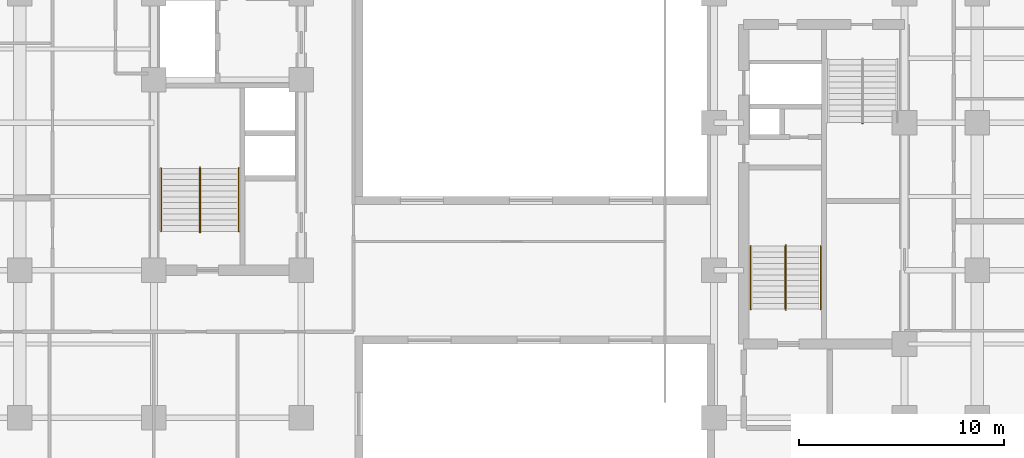
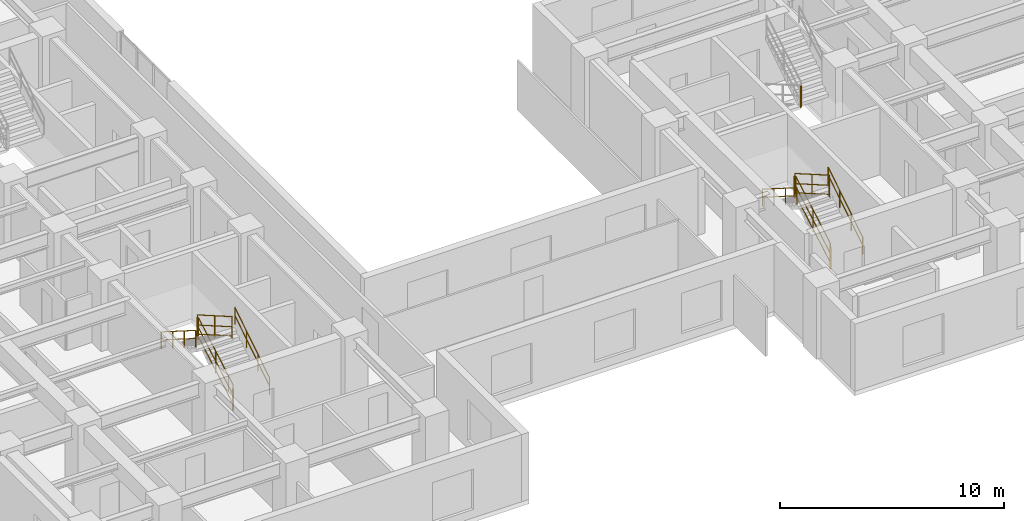
# One storey, part 9 of 11: 13 railings.
"""IFC4 building model written with IfcOpenShell, lengths in metres."""

from ifc_helpers import new_model, entity, si_unit, converted_unit, direction, frame, origin_with_axes, origin_2d_with_axis, place, context, subcontext, project, spatial, rectangle, circle, extrude, material, type_object, element, save


model = new_model("IFC4")

# Units and contexts
model_context = context("Model", 3, precision=1e-05, world=origin_with_axes(), true_north=direction((0.0, 1.0)))
body_context = subcontext(model_context, "Body", "Model", "MODEL_VIEW")
ifc_project = project(units=[si_unit("LENGTHUNIT", "METRE"), si_unit("AREAUNIT", "SQUARE_METRE"), si_unit("VOLUMEUNIT", "CUBIC_METRE"), converted_unit("PLANEANGLEUNIT", "DEGREE", entity("IfcPlaneAngleMeasure", 0.017453292519943295), si_unit("PLANEANGLEUNIT", "RADIAN"), dimensions=[0, 0, 0, 0, 0, 0, 0]), si_unit("MASSUNIT", "GRAM", prefix="KILO"), si_unit("THERMODYNAMICTEMPERATUREUNIT", "KELVIN")], contexts=[model_context])

# Site, building, storey
site_placement = place(None, origin_with_axes())
site = spatial("IfcSite", under=ifc_project, at=site_placement, CompositionType="ELEMENT")
building_placement = place(site_placement, origin_with_axes())
building = spatial("IfcBuilding", under=site, at=building_placement, Name="Varnlund Millrace Tower", CompositionType="ELEMENT")
storey_placement = place(building_placement, frame((0.0, 0.0, 104.7), z_axis=(0.0, 0.0, 1.0), x_axis=(1.0, 0.0, 0.0)))
storey = spatial("IfcBuildingStorey", under=building, at=storey_placement, Name="L25", CompositionType="ELEMENT", Elevation=104.7)

# Railings
ifc_material_1 = material(Name="Painted steel stair well balustrade guard", Category="steel")
railing_type_1 = type_object("IfcRailingType", Name="Type-StairGuard-1150", PredefinedType="GUARDRAIL", material=ifc_material_1)
railing_1_placement = place(storey_placement, frame((0.0, 0.0, -104.7), z_axis=(0.0, 0.0, 1.0), x_axis=(1.0, 0.0, 0.0)))
element("IfcRailing", 1, at=railing_1_placement, inside=storey, type_object=railing_type_1, Name="Type-StairGuard-1150", PredefinedType="GUARDRAIL", context=body_context, shape_type="SweptSolid", body=[
    extrude(circle(Radius=0.024, at=origin_2d_with_axis()), frame((13.675, 12.7, 106.027273), z_axis=(0.0, 0.866696, 0.498836), x_axis=(-1.0, 0.0, 0.0)), (0.0, 0.0, 1.0), 3.553725),
    extrude(circle(Radius=0.024, at=origin_2d_with_axis()), frame((13.675, 12.7, 104.977273), z_axis=(0.0, 0.866696, 0.498836), x_axis=(-1.0, 0.0, 0.0)), (0.0, 0.0, 1.0), 3.553725),
    extrude(circle(Radius=0.024, at=origin_2d_with_axis()), frame((13.675, 12.7, 105.475273), z_axis=(0.0, 0.866696, 0.498836), x_axis=(-1.0, 0.0, 0.0)), (0.0, 0.0, 1.0), 3.553725),
    extrude(rectangle(XDim=0.04, YDim=0.04, at=origin_2d_with_axis()), frame((13.675, 12.7, 104.837273), z_axis=(0.0, 0.0, 1.0), x_axis=(1.0, 0.0, 0.0)), (0.0, 0.0, 1.0), 1.19),
    extrude(rectangle(XDim=0.04, YDim=0.04, at=origin_2d_with_axis()), frame((13.675, 14.24, 105.723636), z_axis=(0.0, 0.0, 1.0), x_axis=(1.0, 0.0, 0.0)), (0.0, 0.0, 1.0), 1.19),
    extrude(rectangle(XDim=0.04, YDim=0.04, at=origin_2d_with_axis()), frame((13.675, 15.78, 106.61), z_axis=(0.0, 0.0, 1.0), x_axis=(1.0, 0.0, 0.0)), (0.0, 0.0, 1.0), 1.19),
])
railing_2_placement = place(storey_placement, frame((0.0, 0.0, -104.7), z_axis=(0.0, 0.0, 1.0), x_axis=(1.0, 0.0, 0.0)))
element("IfcRailing", 2, at=railing_2_placement, inside=storey, type_object=railing_type_1, Name="Type-StairGuard-1150", PredefinedType="GUARDRAIL", context=body_context, shape_type="SweptSolid", body=[
    extrude(circle(Radius=0.024, at=origin_2d_with_axis()), frame((13.625, 15.83, 107.8), z_axis=(1.0, 0.0, 0.0), x_axis=(0.0, 1.0, 0.0)), (0.0, 0.0, 1.0), 0.05),
    extrude(circle(Radius=0.024, at=origin_2d_with_axis()), frame((13.625, 15.83, 106.75), z_axis=(1.0, 0.0, 0.0), x_axis=(0.0, 1.0, 0.0)), (0.0, 0.0, 1.0), 0.05),
    extrude(circle(Radius=0.024, at=origin_2d_with_axis()), frame((13.625, 15.83, 107.248), z_axis=(1.0, 0.0, 0.0), x_axis=(0.0, 1.0, 0.0)), (0.0, 0.0, 1.0), 0.05),
    extrude(rectangle(XDim=0.04, YDim=0.04, at=origin_2d_with_axis()), frame((13.625, 15.83, 106.61), z_axis=(0.0, 0.0, 1.0), x_axis=(1.0, 0.0, 0.0)), (0.0, 0.0, 1.0), 1.19),
    extrude(rectangle(XDim=0.04, YDim=0.04, at=origin_2d_with_axis()), frame((13.675, 15.83, 106.61), z_axis=(0.0, 0.0, 1.0), x_axis=(1.0, 0.0, 0.0)), (0.0, 0.0, 1.0), 1.19),
])
railing_3_placement = place(storey_placement, frame((0.0, 0.0, -104.7), z_axis=(0.0, 0.0, 1.0), x_axis=(1.0, 0.0, 0.0)))
element("IfcRailing", 3, at=railing_3_placement, inside=storey, type_object=railing_type_1, Name="Type-StairGuard-1150", PredefinedType="GUARDRAIL", context=body_context, shape_type="SweptSolid", body=[
    extrude(circle(Radius=0.024, at=origin_2d_with_axis()), frame((13.625, 15.78, 107.977273), z_axis=(0.0, -0.866696, 0.498836), x_axis=(1.0, 0.0, 0.0)), (0.0, 0.0, 1.0), 3.553725),
    extrude(circle(Radius=0.024, at=origin_2d_with_axis()), frame((13.625, 15.78, 106.927273), z_axis=(0.0, -0.866696, 0.498836), x_axis=(1.0, 0.0, 0.0)), (0.0, 0.0, 1.0), 3.553725),
    extrude(circle(Radius=0.024, at=origin_2d_with_axis()), frame((13.625, 15.78, 107.425273), z_axis=(0.0, -0.866696, 0.498836), x_axis=(1.0, 0.0, 0.0)), (0.0, 0.0, 1.0), 3.553725),
    extrude(rectangle(XDim=0.04, YDim=0.04, at=origin_2d_with_axis()), frame((13.625, 15.78, 106.787273), z_axis=(0.0, 0.0, 1.0), x_axis=(1.0, 0.0, 0.0)), (0.0, 0.0, 1.0), 1.19),
    extrude(rectangle(XDim=0.04, YDim=0.04, at=origin_2d_with_axis()), frame((13.625, 14.24, 107.673636), z_axis=(0.0, 0.0, 1.0), x_axis=(1.0, 0.0, 0.0)), (0.0, 0.0, 1.0), 1.19),
    extrude(rectangle(XDim=0.04, YDim=0.04, at=origin_2d_with_axis()), frame((13.625, 12.7, 108.56), z_axis=(0.0, 0.0, 1.0), x_axis=(1.0, 0.0, 0.0)), (0.0, 0.0, 1.0), 1.19),
])
railing_4_placement = place(storey_placement, frame((0.0, 0.0, -104.7), z_axis=(0.0, 0.0, 1.0), x_axis=(1.0, 0.0, 0.0)))
element("IfcRailing", 4, at=railing_4_placement, inside=storey, type_object=railing_type_1, Name="Type-StairGuard-1150", PredefinedType="GUARDRAIL", context=body_context, shape_type="SweptSolid", body=[
    extrude(circle(Radius=0.024, at=origin_2d_with_axis()), frame((13.625, 12.65, 105.85), z_axis=(1.0, 0.0, 0.0), x_axis=(0.0, 1.0, 0.0)), (0.0, 0.0, 1.0), 0.05),
    extrude(circle(Radius=0.024, at=origin_2d_with_axis()), frame((13.625, 12.65, 104.8), z_axis=(1.0, 0.0, 0.0), x_axis=(0.0, 1.0, 0.0)), (0.0, 0.0, 1.0), 0.05),
    extrude(circle(Radius=0.024, at=origin_2d_with_axis()), frame((13.625, 12.65, 105.298), z_axis=(1.0, 0.0, 0.0), x_axis=(0.0, 1.0, 0.0)), (0.0, 0.0, 1.0), 0.05),
    extrude(rectangle(XDim=0.04, YDim=0.04, at=origin_2d_with_axis()), frame((13.625, 12.65, 104.66), z_axis=(0.0, 0.0, 1.0), x_axis=(1.0, 0.0, 0.0)), (0.0, 0.0, 1.0), 1.19),
    extrude(rectangle(XDim=0.04, YDim=0.04, at=origin_2d_with_axis()), frame((13.675, 12.65, 104.66), z_axis=(0.0, 0.0, 1.0), x_axis=(1.0, 0.0, 0.0)), (0.0, 0.0, 1.0), 1.19),
])
railing_5_placement = place(storey_placement, frame((0.0, 0.0, -104.7), z_axis=(0.0, 0.0, 1.0), x_axis=(1.0, 0.0, 0.0)))
element("IfcRailing", 5, at=railing_5_placement, inside=storey, type_object=railing_type_1, Name="Type-StairGuard-1150", PredefinedType="GUARDRAIL", context=body_context, shape_type="SweptSolid", body=[
    extrude(circle(Radius=0.024, at=origin_2d_with_axis()), frame((42.275, 8.9, 106.027273), z_axis=(0.0, 0.866696, 0.498836), x_axis=(-1.0, 0.0, 0.0)), (0.0, 0.0, 1.0), 3.553725),
    extrude(circle(Radius=0.024, at=origin_2d_with_axis()), frame((42.275, 8.9, 104.977273), z_axis=(0.0, 0.866696, 0.498836), x_axis=(-1.0, 0.0, 0.0)), (0.0, 0.0, 1.0), 3.553725),
    extrude(circle(Radius=0.024, at=origin_2d_with_axis()), frame((42.275, 8.9, 105.475273), z_axis=(0.0, 0.866696, 0.498836), x_axis=(-1.0, 0.0, 0.0)), (0.0, 0.0, 1.0), 3.553725),
    extrude(rectangle(XDim=0.04, YDim=0.04, at=origin_2d_with_axis()), frame((42.275, 8.9, 104.837273), z_axis=(0.0, 0.0, 1.0), x_axis=(1.0, 0.0, 0.0)), (0.0, 0.0, 1.0), 1.19),
    extrude(rectangle(XDim=0.04, YDim=0.04, at=origin_2d_with_axis()), frame((42.275, 10.44, 105.723636), z_axis=(0.0, 0.0, 1.0), x_axis=(1.0, 0.0, 0.0)), (0.0, 0.0, 1.0), 1.19),
    extrude(rectangle(XDim=0.04, YDim=0.04, at=origin_2d_with_axis()), frame((42.275, 11.98, 106.61), z_axis=(0.0, 0.0, 1.0), x_axis=(1.0, 0.0, 0.0)), (0.0, 0.0, 1.0), 1.19),
])
railing_6_placement = place(storey_placement, frame((0.0, 0.0, -104.7), z_axis=(0.0, 0.0, 1.0), x_axis=(1.0, 0.0, 0.0)))
element("IfcRailing", 6, at=railing_6_placement, inside=storey, type_object=railing_type_1, Name="Type-StairGuard-1150", PredefinedType="GUARDRAIL", context=body_context, shape_type="SweptSolid", body=[
    extrude(circle(Radius=0.024, at=origin_2d_with_axis()), frame((42.225, 12.03, 107.8), z_axis=(1.0, 0.0, 0.0), x_axis=(0.0, 1.0, 0.0)), (0.0, 0.0, 1.0), 0.05),
    extrude(circle(Radius=0.024, at=origin_2d_with_axis()), frame((42.225, 12.03, 106.75), z_axis=(1.0, 0.0, 0.0), x_axis=(0.0, 1.0, 0.0)), (0.0, 0.0, 1.0), 0.05),
    extrude(circle(Radius=0.024, at=origin_2d_with_axis()), frame((42.225, 12.03, 107.248), z_axis=(1.0, 0.0, 0.0), x_axis=(0.0, 1.0, 0.0)), (0.0, 0.0, 1.0), 0.05),
    extrude(rectangle(XDim=0.04, YDim=0.04, at=origin_2d_with_axis()), frame((42.225, 12.03, 106.61), z_axis=(0.0, 0.0, 1.0), x_axis=(1.0, 0.0, 0.0)), (0.0, 0.0, 1.0), 1.19),
    extrude(rectangle(XDim=0.04, YDim=0.04, at=origin_2d_with_axis()), frame((42.275, 12.03, 106.61), z_axis=(0.0, 0.0, 1.0), x_axis=(1.0, 0.0, 0.0)), (0.0, 0.0, 1.0), 1.19),
])
railing_7_placement = place(storey_placement, frame((0.0, 0.0, -104.7), z_axis=(0.0, 0.0, 1.0), x_axis=(1.0, 0.0, 0.0)))
element("IfcRailing", 7, at=railing_7_placement, inside=storey, type_object=railing_type_1, Name="Type-StairGuard-1150", PredefinedType="GUARDRAIL", context=body_context, shape_type="SweptSolid", body=[
    extrude(circle(Radius=0.024, at=origin_2d_with_axis()), frame((42.225, 11.98, 107.977273), z_axis=(0.0, -0.866696, 0.498836), x_axis=(1.0, 0.0, 0.0)), (0.0, 0.0, 1.0), 3.553725),
    extrude(circle(Radius=0.024, at=origin_2d_with_axis()), frame((42.225, 11.98, 106.927273), z_axis=(0.0, -0.866696, 0.498836), x_axis=(1.0, 0.0, 0.0)), (0.0, 0.0, 1.0), 3.553725),
    extrude(circle(Radius=0.024, at=origin_2d_with_axis()), frame((42.225, 11.98, 107.425273), z_axis=(0.0, -0.866696, 0.498836), x_axis=(1.0, 0.0, 0.0)), (0.0, 0.0, 1.0), 3.553725),
    extrude(rectangle(XDim=0.04, YDim=0.04, at=origin_2d_with_axis()), frame((42.225, 11.98, 106.787273), z_axis=(0.0, 0.0, 1.0), x_axis=(1.0, 0.0, 0.0)), (0.0, 0.0, 1.0), 1.19),
    extrude(rectangle(XDim=0.04, YDim=0.04, at=origin_2d_with_axis()), frame((42.225, 10.44, 107.673636), z_axis=(0.0, 0.0, 1.0), x_axis=(1.0, 0.0, 0.0)), (0.0, 0.0, 1.0), 1.19),
    extrude(rectangle(XDim=0.04, YDim=0.04, at=origin_2d_with_axis()), frame((42.225, 8.9, 108.56), z_axis=(0.0, 0.0, 1.0), x_axis=(1.0, 0.0, 0.0)), (0.0, 0.0, 1.0), 1.19),
])
railing_8_placement = place(storey_placement, frame((0.0, 0.0, -104.7), z_axis=(0.0, 0.0, 1.0), x_axis=(1.0, 0.0, 0.0)))
element("IfcRailing", 8, at=railing_8_placement, inside=storey, type_object=railing_type_1, Name="Type-StairGuard-1150", PredefinedType="GUARDRAIL", context=body_context, shape_type="SweptSolid", body=[
    extrude(circle(Radius=0.024, at=origin_2d_with_axis()), frame((42.225, 8.85, 105.85), z_axis=(1.0, 0.0, 0.0), x_axis=(0.0, 1.0, 0.0)), (0.0, 0.0, 1.0), 0.05),
    extrude(circle(Radius=0.024, at=origin_2d_with_axis()), frame((42.225, 8.85, 104.8), z_axis=(1.0, 0.0, 0.0), x_axis=(0.0, 1.0, 0.0)), (0.0, 0.0, 1.0), 0.05),
    extrude(circle(Radius=0.024, at=origin_2d_with_axis()), frame((42.225, 8.85, 105.298), z_axis=(1.0, 0.0, 0.0), x_axis=(0.0, 1.0, 0.0)), (0.0, 0.0, 1.0), 0.05),
    extrude(rectangle(XDim=0.04, YDim=0.04, at=origin_2d_with_axis()), frame((42.225, 8.85, 104.66), z_axis=(0.0, 0.0, 1.0), x_axis=(1.0, 0.0, 0.0)), (0.0, 0.0, 1.0), 1.19),
    extrude(rectangle(XDim=0.04, YDim=0.04, at=origin_2d_with_axis()), frame((42.275, 8.85, 104.66), z_axis=(0.0, 0.0, 1.0), x_axis=(1.0, 0.0, 0.0)), (0.0, 0.0, 1.0), 1.19),
])
railing_9_placement = place(storey_placement, frame((0.0, 0.0, -104.7), z_axis=(0.0, 0.0, 1.0), x_axis=(1.0, 0.0, 0.0)))
element("IfcRailing", 9, at=railing_9_placement, inside=storey, type_object=railing_type_1, Name="Type-StairGuard-1150", PredefinedType="GUARDRAIL", context=body_context, shape_type="SweptSolid", body=[
    extrude(circle(Radius=0.024, at=origin_2d_with_axis()), frame((46.025, 17.97, 107.8), z_axis=(-1.0, 0.0, 0.0), x_axis=(0.0, -1.0, 0.0)), (0.0, 0.0, 1.0), 0.05),
    extrude(circle(Radius=0.024, at=origin_2d_with_axis()), frame((46.025, 17.97, 106.75), z_axis=(-1.0, 0.0, 0.0), x_axis=(0.0, -1.0, 0.0)), (0.0, 0.0, 1.0), 0.05),
    extrude(circle(Radius=0.024, at=origin_2d_with_axis()), frame((46.025, 17.97, 107.248), z_axis=(-1.0, 0.0, 0.0), x_axis=(0.0, -1.0, 0.0)), (0.0, 0.0, 1.0), 0.05),
    extrude(rectangle(XDim=0.04, YDim=0.04, at=origin_2d_with_axis()), frame((46.025, 17.97, 106.61), z_axis=(0.0, 0.0, 1.0), x_axis=(1.0, 0.0, 0.0)), (0.0, 0.0, 1.0), 1.19),
    extrude(rectangle(XDim=0.04, YDim=0.04, at=origin_2d_with_axis()), frame((45.975, 17.97, 106.61), z_axis=(0.0, 0.0, 1.0), x_axis=(1.0, 0.0, 0.0)), (0.0, 0.0, 1.0), 1.19),
])
ifc_material_2 = material(Name="Brushed architectural bronze stair handrail", Category="aluminium")
railing_type_2 = type_object("IfcRailingType", Name="Type-StairHandrail-900", PredefinedType="HANDRAIL", material=ifc_material_2)
railing_10_placement = place(storey_placement, frame((0.0, 0.0, -104.7), z_axis=(0.0, 0.0, 1.0), x_axis=(1.0, 0.0, 0.0)))
element("IfcRailing", 10, at=railing_10_placement, inside=storey, type_object=railing_type_2, Name="Type-StairHandrail-900", PredefinedType="HANDRAIL", context=body_context, shape_type="SweptSolid", body=[
    extrude(circle(Radius=0.024, at=origin_2d_with_axis()), frame((15.55, 12.7, 105.756995), z_axis=(0.0, 0.844902, 0.534922), x_axis=(-1.0, 0.0, 0.0)), (0.0, 0.0, 1.0), 3.645394),
    extrude(circle(Radius=0.024, at=origin_2d_with_axis()), frame((15.55, 12.7, 105.317134), z_axis=(0.0, 0.844902, 0.534922), x_axis=(-1.0, 0.0, 0.0)), (0.0, 0.0, 1.0), 3.645394),
    extrude(rectangle(XDim=0.04, YDim=0.04, at=origin_2d_with_axis()), frame((15.55, 12.7, 104.837273), z_axis=(0.0, 0.0, 1.0), x_axis=(1.0, 0.0, 0.0)), (0.0, 0.0, 1.0), 0.919722),
    extrude(rectangle(XDim=0.04, YDim=0.04, at=origin_2d_with_axis()), frame((15.55, 13.726667, 105.487273), z_axis=(0.0, 0.0, 1.0), x_axis=(1.0, 0.0, 0.0)), (0.0, 0.0, 1.0), 0.919722),
    extrude(rectangle(XDim=0.04, YDim=0.04, at=origin_2d_with_axis()), frame((15.55, 14.753333, 106.137273), z_axis=(0.0, 0.0, 1.0), x_axis=(1.0, 0.0, 0.0)), (0.0, 0.0, 1.0), 0.919722),
    extrude(rectangle(XDim=0.04, YDim=0.04, at=origin_2d_with_axis()), frame((15.55, 15.78, 106.787273), z_axis=(0.0, 0.0, 1.0), x_axis=(1.0, 0.0, 0.0)), (0.0, 0.0, 1.0), 0.919722),
])
railing_11_placement = place(storey_placement, frame((0.0, 0.0, -104.7), z_axis=(0.0, 0.0, 1.0), x_axis=(1.0, 0.0, 0.0)))
element("IfcRailing", 11, at=railing_11_placement, inside=storey, type_object=railing_type_2, Name="Type-StairHandrail-900", PredefinedType="HANDRAIL", context=body_context, shape_type="SweptSolid", body=[
    extrude(circle(Radius=0.024, at=origin_2d_with_axis()), frame((11.75, 15.78, 107.706995), z_axis=(0.0, -0.844902, 0.534922), x_axis=(1.0, 0.0, 0.0)), (0.0, 0.0, 1.0), 3.645394),
    extrude(circle(Radius=0.024, at=origin_2d_with_axis()), frame((11.75, 15.78, 107.267134), z_axis=(0.0, -0.844902, 0.534922), x_axis=(1.0, 0.0, 0.0)), (0.0, 0.0, 1.0), 3.645394),
    extrude(rectangle(XDim=0.04, YDim=0.04, at=origin_2d_with_axis()), frame((11.75, 15.78, 106.787273), z_axis=(0.0, 0.0, 1.0), x_axis=(1.0, 0.0, 0.0)), (0.0, 0.0, 1.0), 0.919722),
    extrude(rectangle(XDim=0.04, YDim=0.04, at=origin_2d_with_axis()), frame((11.75, 14.753333, 107.437273), z_axis=(0.0, 0.0, 1.0), x_axis=(1.0, 0.0, 0.0)), (0.0, 0.0, 1.0), 0.919722),
    extrude(rectangle(XDim=0.04, YDim=0.04, at=origin_2d_with_axis()), frame((11.75, 13.726667, 108.087273), z_axis=(0.0, 0.0, 1.0), x_axis=(1.0, 0.0, 0.0)), (0.0, 0.0, 1.0), 0.919722),
    extrude(rectangle(XDim=0.04, YDim=0.04, at=origin_2d_with_axis()), frame((11.75, 12.7, 108.737273), z_axis=(0.0, 0.0, 1.0), x_axis=(1.0, 0.0, 0.0)), (0.0, 0.0, 1.0), 0.919722),
])
railing_12_placement = place(storey_placement, frame((0.0, 0.0, -104.7), z_axis=(0.0, 0.0, 1.0), x_axis=(1.0, 0.0, 0.0)))
element("IfcRailing", 12, at=railing_12_placement, inside=storey, type_object=railing_type_2, Name="Type-StairHandrail-900", PredefinedType="HANDRAIL", context=body_context, shape_type="SweptSolid", body=[
    extrude(circle(Radius=0.024, at=origin_2d_with_axis()), frame((43.95, 8.9, 105.756995), z_axis=(0.0, 0.844902, 0.534922), x_axis=(-1.0, 0.0, 0.0)), (0.0, 0.0, 1.0), 3.645394),
    extrude(circle(Radius=0.024, at=origin_2d_with_axis()), frame((43.95, 8.9, 105.317134), z_axis=(0.0, 0.844902, 0.534922), x_axis=(-1.0, 0.0, 0.0)), (0.0, 0.0, 1.0), 3.645394),
    extrude(rectangle(XDim=0.04, YDim=0.04, at=origin_2d_with_axis()), frame((43.95, 8.9, 104.837273), z_axis=(0.0, 0.0, 1.0), x_axis=(1.0, 0.0, 0.0)), (0.0, 0.0, 1.0), 0.919722),
    extrude(rectangle(XDim=0.04, YDim=0.04, at=origin_2d_with_axis()), frame((43.95, 9.926667, 105.487273), z_axis=(0.0, 0.0, 1.0), x_axis=(1.0, 0.0, 0.0)), (0.0, 0.0, 1.0), 0.919722),
    extrude(rectangle(XDim=0.04, YDim=0.04, at=origin_2d_with_axis()), frame((43.95, 10.953333, 106.137273), z_axis=(0.0, 0.0, 1.0), x_axis=(1.0, 0.0, 0.0)), (0.0, 0.0, 1.0), 0.919722),
    extrude(rectangle(XDim=0.04, YDim=0.04, at=origin_2d_with_axis()), frame((43.95, 11.98, 106.787273), z_axis=(0.0, 0.0, 1.0), x_axis=(1.0, 0.0, 0.0)), (0.0, 0.0, 1.0), 0.919722),
])
railing_13_placement = place(storey_placement, frame((0.0, 0.0, -104.7), z_axis=(0.0, 0.0, 1.0), x_axis=(1.0, 0.0, 0.0)))
element("IfcRailing", 13, at=railing_13_placement, inside=storey, type_object=railing_type_2, Name="Type-StairHandrail-900", PredefinedType="HANDRAIL", context=body_context, shape_type="SweptSolid", body=[
    extrude(circle(Radius=0.024, at=origin_2d_with_axis()), frame((40.55, 11.98, 107.706995), z_axis=(0.0, -0.844902, 0.534922), x_axis=(1.0, 0.0, 0.0)), (0.0, 0.0, 1.0), 3.645394),
    extrude(circle(Radius=0.024, at=origin_2d_with_axis()), frame((40.55, 11.98, 107.267134), z_axis=(0.0, -0.844902, 0.534922), x_axis=(1.0, 0.0, 0.0)), (0.0, 0.0, 1.0), 3.645394),
    extrude(rectangle(XDim=0.04, YDim=0.04, at=origin_2d_with_axis()), frame((40.55, 11.98, 106.787273), z_axis=(0.0, 0.0, 1.0), x_axis=(1.0, 0.0, 0.0)), (0.0, 0.0, 1.0), 0.919722),
    extrude(rectangle(XDim=0.04, YDim=0.04, at=origin_2d_with_axis()), frame((40.55, 10.953333, 107.437273), z_axis=(0.0, 0.0, 1.0), x_axis=(1.0, 0.0, 0.0)), (0.0, 0.0, 1.0), 0.919722),
    extrude(rectangle(XDim=0.04, YDim=0.04, at=origin_2d_with_axis()), frame((40.55, 9.926667, 108.087273), z_axis=(0.0, 0.0, 1.0), x_axis=(1.0, 0.0, 0.0)), (0.0, 0.0, 1.0), 0.919722),
    extrude(rectangle(XDim=0.04, YDim=0.04, at=origin_2d_with_axis()), frame((40.55, 8.9, 108.737273), z_axis=(0.0, 0.0, 1.0), x_axis=(1.0, 0.0, 0.0)), (0.0, 0.0, 1.0), 0.919722),
])

save(model, "model.ifc")
